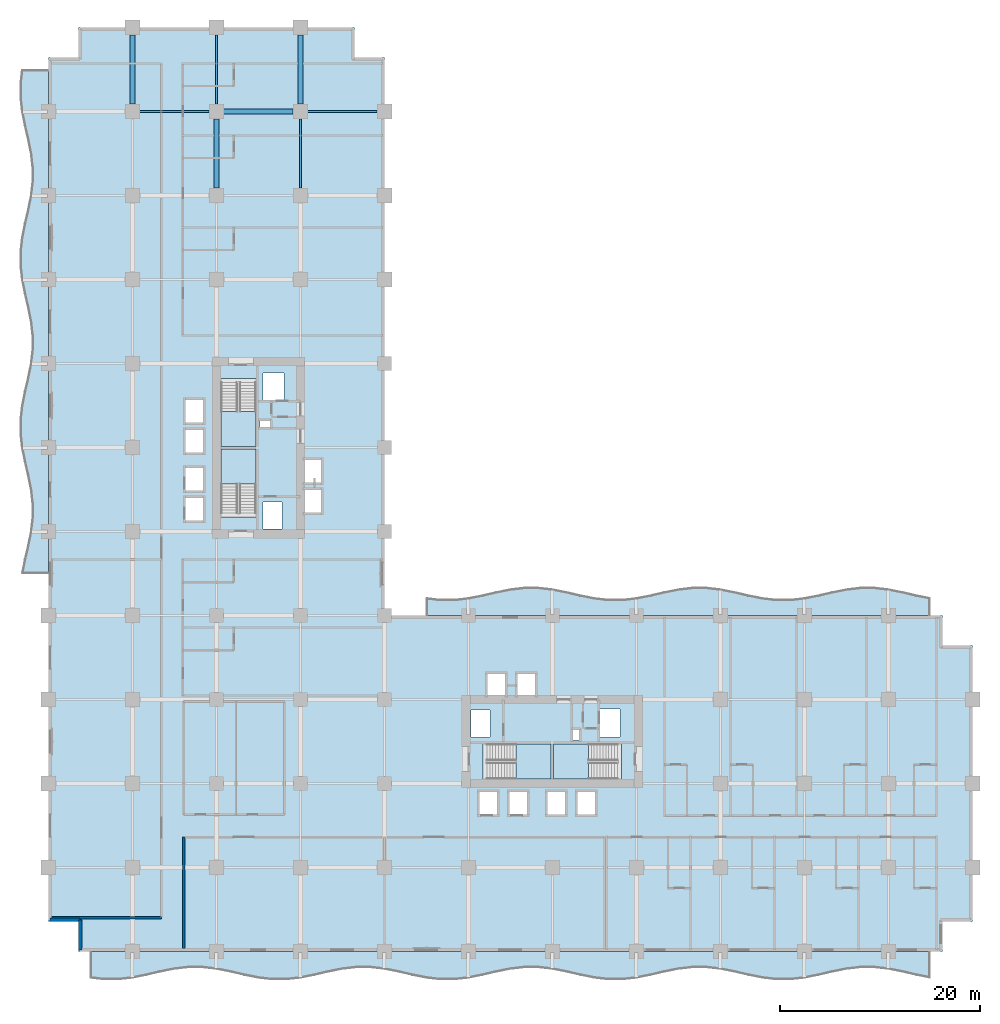
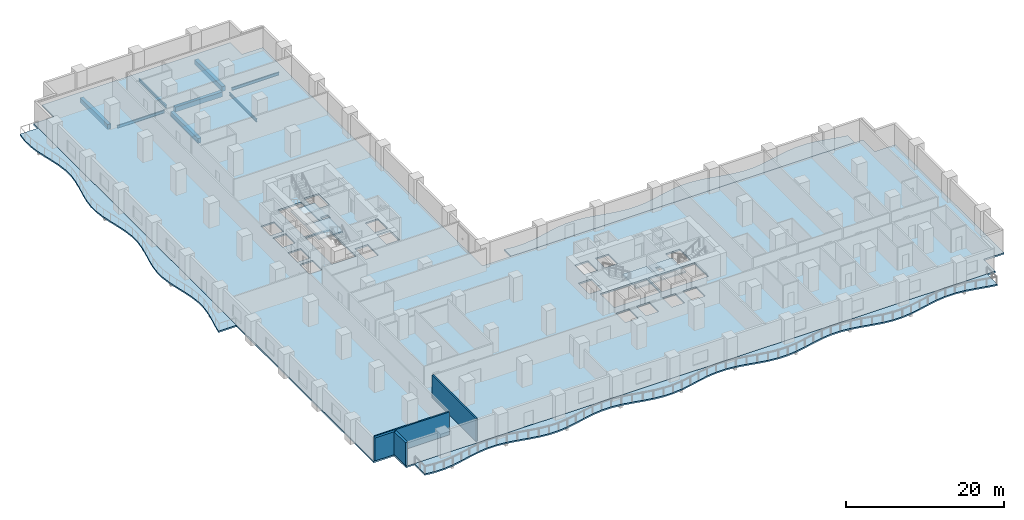
# One storey, part 3 of 18: 8 beams, 8 slabs, 4 walls, 4 elements without a shape of their own.
"""IFC4 building model written with IfcOpenShell, lengths in metres."""

from ifc_helpers import new_model, si_unit, direction, frame, frame_2d, origin, origin_2d, place, context, subcontext, project, spatial, polyline, rectangle, i_section, outline, extrude, material, layer, layer_set, material_profile, profile_set, type_object, element, aggregate, save


model = new_model("IFC4")

# Units and contexts
model_context = context("Model", 3, precision=1e-05, world=origin(), true_north=direction((0.0, 1.0)))
body_context = subcontext(model_context, "Body", "Model", "MODEL_VIEW")
ifc_project = project(units=[si_unit("LENGTHUNIT", "METRE"), si_unit("AREAUNIT", "SQUARE_METRE"), si_unit("VOLUMEUNIT", "CUBIC_METRE"), si_unit("PLANEANGLEUNIT", "RADIAN"), si_unit("MASSUNIT", "GRAM", prefix="KILO")], contexts=[model_context])

# Site, building, storey
site_placement = place(None, origin())
site = spatial("IfcSite", under=ifc_project, at=site_placement, CompositionType="ELEMENT")
building_placement = place(site_placement, origin())
building = spatial("IfcBuilding", under=site, at=building_placement, Name="Koriwani Terraces Tower", CompositionType="ELEMENT")
storey_placement = place(building_placement, frame((0.0, 0.0, 81.39990234375)))
storey = spatial("IfcBuildingStorey", under=building, at=storey_placement, Name="L19", CompositionType="ELEMENT", Elevation=81.39990234375)

# Beams
ifc_material_1 = material(Name="Concrete C50/60", Category="concrete")
ifc_material_profile_1 = material_profile(ifc_material_1, rectangle(XDim=0.5, YDim=0.75, at=origin_2d()), Name="Concrete C50/60", Category="LoadBearing")
ifc_profile_set_1 = profile_set([ifc_material_profile_1], Name="Concrete C50/60")
beam_type_1 = type_object("IfcBeamType", Name="BEAM_RC_GRID_500X750", PredefinedType="BEAM", material=ifc_profile_set_1)
for number, where, z_axis, x_axis, name in (
    (1, (17.530029296875, 84.0, -0.625), (1.0, 0.0, 0.0), (0.0, 1.0, 0.0), "L19 Grid Beam K (16.8-25.2m)"),
    (2, (8.39990234375, 84.72998046875, -0.625), (0.0, 1.0, 0.0), (-1.0, 0.0, 0.0), "L19 Grid Beam 2 (84.0-92.4m)"),
    (3, (16.800048828125, 76.330078125, -0.625), (0.0, 1.0, 0.0), (-1.0, 0.0, 0.0), "L19 Grid Beam 3 (75.6-84.0m)"),
    (4, (25.199951171875, 84.72998046875, -0.625), (0.0, 1.0, 0.0), (-1.0, 0.0, 0.0), "L19 Grid Beam 4 (84.0-92.4m)"),
):
    element("IfcBeam", number, at=place(storey_placement, frame(where, z_axis=z_axis, x_axis=x_axis)), inside=storey, type_object=beam_type_1, Name=name, PredefinedType="BEAM", context=body_context, shape_type="SweptSolid", body=[
        extrude(rectangle(XDim=0.5, YDim=0.75, at=origin_2d()), origin(), (0.0, 0.0, 1.0), 6.93994140625),
    ])
ifc_material_2 = material(Name="Steel ASTM A572 Grade 50", Category="steel")
ifc_material_profile_2 = material_profile(ifc_material_2, i_section(OverallWidth=0.19189453125, OverallDepth=0.462890625, WebThickness=0.010498046875, FlangeThickness=0.01611328125, at=origin_2d()), Name="Steel ASTM A572 Grade 50", Category="LoadBearing")
ifc_profile_set_2 = profile_set([ifc_material_profile_2], Name="Steel ASTM A572 Grade 50")
beam_type_2 = type_object("IfcBeamType", Name="STEEL_BEAM_W460X89", PredefinedType="BEAM", material=ifc_profile_set_2)
for number, where, z_axis, x_axis, name in (
    (5, (9.1298828125, 84.0, -0.4814453125), (1.0, 0.0, 0.0), (0.0, 1.0, 0.0), "L19 Grid Beam K (8.4-16.8m)"),
    (6, (25.929931640625, 84.0, -0.4814453125), (1.0, 0.0, 0.0), (0.0, 1.0, 0.0), "L19 Grid Beam K (25.2-33.6m)"),
):
    element("IfcBeam", number, at=place(storey_placement, frame(where, z_axis=z_axis, x_axis=x_axis)), inside=storey, type_object=beam_type_2, Name=name, PredefinedType="BEAM", context=body_context, shape_type="SweptSolid", body=[
        extrude(i_section(OverallWidth=0.19189453125, OverallDepth=0.462890625, WebThickness=0.010498046875, FlangeThickness=0.01611328125, at=origin_2d()), origin(), (0.0, 0.0, 1.0), 6.940185546875),
    ])
for number, where, z_axis, x_axis, name in (
    (7, (16.800048828125, 84.72998046875, -0.4814453125), (0.0, 1.0, 0.0), (-1.0, 0.0, 0.0), "L19 Grid Beam 3 (84.0-92.4m)"),
    (8, (25.199951171875, 76.330078125, -0.4814453125), (0.0, 1.0, 0.0), (-1.0, 0.0, 0.0), "L19 Grid Beam 4 (75.6-84.0m)"),
):
    element("IfcBeam", number, at=place(storey_placement, frame(where, z_axis=z_axis, x_axis=x_axis)), inside=storey, type_object=beam_type_2, Name=name, PredefinedType="BEAM", context=body_context, shape_type="SweptSolid", body=[
        extrude(i_section(OverallWidth=0.19189453125, OverallDepth=0.462890625, WebThickness=0.010498046875, FlangeThickness=0.01611328125, at=origin_2d()), origin(), (0.0, 0.0, 1.0), 6.93994140625),
    ])

# Slabs
ifc_material_3 = material(Name="Concrete C40/50", Category="concrete")
ifc_layer_1 = layer(ifc_material_3, 0.219970703125, Name="Concrete C40/50")
ifc_layer_set_1 = layer_set([ifc_layer_1], Name="Concrete C40/50")
slab_type_1 = type_object("IfcSlabType", Name="SLAB_BALCONY_220", PredefinedType="FLOOR", material=ifc_layer_set_1)
slab_1_placement = place(storey_placement, frame((0.0, 0.0, -0.219970703125)))
element("IfcSlab", 9, at=slab_1_placement, inside=storey, type_object=slab_type_1, Name="L19 Quilted Circular-Arc Balcony (S)", PredefinedType="FLOOR", context=body_context, shape_type="SweptSolid", body=[
    extrude(outline(polyline([(4.199951171875, 0.0), (5.60009765625, 0.0), (7.0, 0.0), (8.39990234375, 0.0), (9.800048828125, 0.0), (11.199951171875, 0.0), (12.60009765625, 0.0), (14.0, 0.0), (15.39990234375, 0.0), (16.800048828125, 0.0), (18.199951171875, 0.0), (19.60009765625, 0.0), (21.0, 0.0), (22.39990234375, 0.0), (23.800048828125, 0.0), (25.199951171875, 0.0), (26.60009765625, 0.0), (28.0, 0.0), (29.39990234375, 0.0), (30.800048828125, 0.0), (32.199951171875, 0.0), (33.60009765625, 0.0), (35.0, 0.0), (36.39990234375, 0.0), (37.800048828125, 0.0), (39.199951171875, 0.0), (40.60009765625, 0.0), (42.0, 0.0), (43.39990234375, 0.0), (44.800048828125, 0.0), (46.199951171875, 0.0), (47.60009765625, 0.0), (49.0, 0.0), (50.39990234375, 0.0), (51.800048828125, 0.0), (53.199951171875, 0.0), (54.60009765625, 0.0), (56.0, 0.0), (57.39990234375, 0.0), (58.800048828125, 0.0), (60.199951171875, 0.0), (61.60009765625, 0.0), (63.0, 0.0), (64.39990234375, 0.0), (65.800048828125, 0.0), (67.199951171875, 0.0), (68.60009765625, 0.0), (70.0, 0.0), (71.39990234375, 0.0), (72.800048828125, 0.0), (74.199951171875, 0.0), (75.60009765625, 0.0), (77.0, 0.0), (78.39990234375, 0.0), (79.800048828125, 0.0), (81.199951171875, 0.0), (82.60009765625, 0.0), (84.0, 0.0), (85.39990234375, 0.0), (86.800048828125, 0.0), (88.199951171875, 0.0), (88.199951171875, -2.6669921875), (86.800048828125, -2.38671875), (85.39990234375, -2.063232421875), (84.0, -1.783203125), (82.60009765625, -1.621337890625), (81.199951171875, -1.621337890625), (79.800048828125, -1.783203125), (78.39990234375, -2.063232421875), (77.0, -2.38671875), (75.60009765625, -2.6669921875), (74.199951171875, -2.82861328125), (72.800048828125, -2.82861328125), (71.39990234375, -2.6669921875), (70.0, -2.38671875), (68.60009765625, -2.063232421875), (67.199951171875, -1.783203125), (65.800048828125, -1.621337890625), (64.39990234375, -1.621337890625), (63.0, -1.783203125), (61.60009765625, -2.063232421875), (60.199951171875, -2.38671875), (58.800048828125, -2.6669921875), (57.39990234375, -2.82861328125), (56.0, -2.82861328125), (54.60009765625, -2.6669921875), (53.199951171875, -2.38671875), (51.800048828125, -2.063232421875), (50.39990234375, -1.783203125), (49.0, -1.621337890625), (47.60009765625, -1.621337890625), (46.199951171875, -1.783203125), (44.800048828125, -2.063232421875), (43.39990234375, -2.38671875), (42.0, -2.6669921875), (40.60009765625, -2.82861328125), (39.199951171875, -2.82861328125), (37.800048828125, -2.6669921875), (36.39990234375, -2.38671875), (35.0, -2.063232421875), (33.60009765625, -1.783203125), (32.199951171875, -1.621337890625), (30.800048828125, -1.621337890625), (29.39990234375, -1.783203125), (28.0, -2.063232421875), (26.60009765625, -2.38671875), (25.199951171875, -2.6669921875), (23.800048828125, -2.82861328125), (22.39990234375, -2.82861328125), (21.0, -2.6669921875), (19.60009765625, -2.38671875), (18.199951171875, -2.063232421875), (16.800048828125, -1.783203125), (15.39990234375, -1.621337890625), (14.0, -1.621337890625), (12.60009765625, -1.783203125), (11.199951171875, -2.063232421875), (9.800048828125, -2.38671875), (8.39990234375, -2.6669921875), (7.0, -2.82861328125), (5.60009765625, -2.82861328125), (4.199951171875, -2.6669921875), (4.199951171875, 0.0)])), origin(), (0.0, 0.0, 1.0), 0.219970703125),
])
slab_2_placement = place(storey_placement, frame((0.0, 0.0, -0.219970703125)))
element("IfcSlab", 10, at=slab_2_placement, inside=storey, type_object=slab_type_1, Name="L19 Quilted Circular-Arc Balcony (W)", PredefinedType="FLOOR", context=body_context, shape_type="SweptSolid", body=[
    extrude(outline(polyline([(0.0, 37.800048828125), (0.0, 39.199951171875), (0.0, 40.60009765625), (0.0, 42.0), (0.0, 43.39990234375), (0.0, 44.800048828125), (0.0, 46.199951171875), (0.0, 47.60009765625), (0.0, 49.0), (0.0, 50.39990234375), (0.0, 51.800048828125), (0.0, 53.199951171875), (0.0, 54.60009765625), (0.0, 56.0), (0.0, 57.39990234375), (0.0, 58.800048828125), (0.0, 60.199951171875), (0.0, 61.60009765625), (0.0, 63.0), (0.0, 64.39990234375), (0.0, 65.800048828125), (0.0, 67.199951171875), (0.0, 68.60009765625), (0.0, 70.0), (0.0, 71.39990234375), (0.0, 72.800048828125), (0.0, 74.199951171875), (0.0, 75.60009765625), (0.0, 77.0), (0.0, 78.39990234375), (0.0, 79.800048828125), (0.0, 81.199951171875), (0.0, 82.60009765625), (0.0, 84.0), (0.0, 85.39990234375), (0.0, 86.800048828125), (0.0, 88.199951171875), (-2.6669921875, 88.199951171875), (-2.82861328125, 86.800048828125), (-2.82861328125, 85.39990234375), (-2.6669921875, 84.0), (-2.38671875, 82.60009765625), (-2.063232421875, 81.199951171875), (-1.783203125, 79.800048828125), (-1.621337890625, 78.39990234375), (-1.621337890625, 77.0), (-1.783203125, 75.60009765625), (-2.063232421875, 74.199951171875), (-2.38671875, 72.800048828125), (-2.6669921875, 71.39990234375), (-2.82861328125, 70.0), (-2.82861328125, 68.60009765625), (-2.6669921875, 67.199951171875), (-2.38671875, 65.800048828125), (-2.063232421875, 64.39990234375), (-1.783203125, 63.0), (-1.621337890625, 61.60009765625), (-1.621337890625, 60.199951171875), (-1.783203125, 58.800048828125), (-2.063232421875, 57.39990234375), (-2.38671875, 56.0), (-2.6669921875, 54.60009765625), (-2.82861328125, 53.199951171875), (-2.82861328125, 51.800048828125), (-2.6669921875, 50.39990234375), (-2.38671875, 49.0), (-2.063232421875, 47.60009765625), (-1.783203125, 46.199951171875), (-1.621337890625, 44.800048828125), (-1.621337890625, 43.39990234375), (-1.783203125, 42.0), (-2.063232421875, 40.60009765625), (-2.38671875, 39.199951171875), (-2.6669921875, 37.800048828125), (0.0, 37.800048828125)])), origin(), (0.0, 0.0, 1.0), 0.219970703125),
])
slab_3_placement = place(storey_placement, frame((0.0, 0.0, -0.219970703125)))
element("IfcSlab", 11, at=slab_3_placement, inside=storey, type_object=slab_type_1, Name="L19 Quilted Circular-Arc Balcony (NE)", PredefinedType="FLOOR", context=body_context, shape_type="SweptSolid", body=[
    extrude(outline(polyline([(88.199951171875, 33.60009765625), (86.800048828125, 33.60009765625), (85.39990234375, 33.60009765625), (84.0, 33.60009765625), (82.60009765625, 33.60009765625), (81.199951171875, 33.60009765625), (79.800048828125, 33.60009765625), (78.39990234375, 33.60009765625), (77.0, 33.60009765625), (75.60009765625, 33.60009765625), (74.199951171875, 33.60009765625), (72.800048828125, 33.60009765625), (71.39990234375, 33.60009765625), (70.0, 33.60009765625), (68.60009765625, 33.60009765625), (67.199951171875, 33.60009765625), (65.800048828125, 33.60009765625), (64.39990234375, 33.60009765625), (63.0, 33.60009765625), (61.60009765625, 33.60009765625), (60.199951171875, 33.60009765625), (58.800048828125, 33.60009765625), (57.39990234375, 33.60009765625), (56.0, 33.60009765625), (54.60009765625, 33.60009765625), (53.199951171875, 33.60009765625), (51.800048828125, 33.60009765625), (50.39990234375, 33.60009765625), (49.0, 33.60009765625), (47.60009765625, 33.60009765625), (46.199951171875, 33.60009765625), (44.800048828125, 33.60009765625), (43.39990234375, 33.60009765625), (42.0, 33.60009765625), (40.60009765625, 33.60009765625), (39.199951171875, 33.60009765625), (37.800048828125, 33.60009765625), (37.800048828125, 35.383056640625), (39.199951171875, 35.22119140625), (40.60009765625, 35.22119140625), (42.0, 35.383056640625), (43.39990234375, 35.6630859375), (44.800048828125, 35.98681640625), (46.199951171875, 36.266845703125), (47.60009765625, 36.4287109375), (49.0, 36.4287109375), (50.39990234375, 36.266845703125), (51.800048828125, 35.98681640625), (53.199951171875, 35.6630859375), (54.60009765625, 35.383056640625), (56.0, 35.22119140625), (57.39990234375, 35.22119140625), (58.800048828125, 35.383056640625), (60.199951171875, 35.6630859375), (61.60009765625, 35.98681640625), (63.0, 36.266845703125), (64.39990234375, 36.4287109375), (65.800048828125, 36.4287109375), (67.199951171875, 36.266845703125), (68.60009765625, 35.98681640625), (70.0, 35.6630859375), (71.39990234375, 35.383056640625), (72.800048828125, 35.22119140625), (74.199951171875, 35.22119140625), (75.60009765625, 35.383056640625), (77.0, 35.6630859375), (78.39990234375, 35.98681640625), (79.800048828125, 36.266845703125), (81.199951171875, 36.4287109375), (82.60009765625, 36.4287109375), (84.0, 36.266845703125), (85.39990234375, 35.98681640625), (86.800048828125, 35.6630859375), (88.199951171875, 35.383056640625), (88.199951171875, 33.60009765625)])), origin(), (0.0, 0.0, 1.0), 0.219970703125),
])

# Stair, slab
stair_type = type_object("IfcStairType", Name="STAIR_CORE_DOGLEG_1650", PredefinedType="TWO_STRAIGHT_RUN_STAIR", material=ifc_material_3)
stair_1_placement = place(storey_placement, origin())
stair_1 = element("IfcStair", 12, at=stair_1_placement, inside=storey, type_object=stair_type, Name="L19 West Core Exit Stair 1", PredefinedType="HALF_TURN_STAIR")
ifc_layer_2 = layer(ifc_material_3, 0.199951171875, Name="Concrete C40/50")
ifc_layer_set_2 = layer_set([ifc_layer_2], Name="Concrete C40/50")
slab_type_2 = type_object("IfcSlabType", Name="SLAB_STAIR_LANDING_200", PredefinedType="LANDING", material=ifc_layer_set_2)
slab_4_placement = place(storey_placement, frame((0.0, 0.0, 1.7001953125)))
slab_4 = element("IfcSlab", 13, at=slab_4_placement, type_object=slab_type_2, Name="ST-W1 landing 1", PredefinedType="LANDING", context=body_context, shape_type="SweptSolid", body=[
    extrude(outline(polyline([(20.75, 46.75), (20.75, 50.25), (17.25, 50.25), (17.25, 46.75), (20.75, 46.75)])), origin(), (0.0, 0.0, 1.0), 0.199951171875),
])
aggregate(stair_1, [slab_4])

stair_2_placement = place(storey_placement, origin())
stair_2 = element("IfcStair", 14, at=stair_2_placement, inside=storey, type_object=stair_type, Name="L19 West Core Exit Stair 2", PredefinedType="HALF_TURN_STAIR")
slab_5_placement = place(storey_placement, frame((0.0, 0.0, 1.7001953125)))
slab_5 = element("IfcSlab", 15, at=slab_5_placement, type_object=slab_type_2, Name="ST-W2 landing 1", PredefinedType="LANDING", context=body_context, shape_type="SweptSolid", body=[
    extrude(outline(polyline([(17.25, 54.0), (17.25, 50.5), (20.75, 50.5), (20.75, 54.0), (17.25, 54.0)])), origin(), (0.0, 0.0, 1.0), 0.199951171875),
])
aggregate(stair_2, [slab_5])

stair_3_placement = place(storey_placement, origin())
stair_3 = element("IfcStair", 16, at=stair_3_placement, inside=storey, type_object=stair_type, Name="L19 East Core Exit Stair 1", PredefinedType="HALF_TURN_STAIR")
slab_6_placement = place(storey_placement, frame((0.0, 0.0, 1.7001953125)))
slab_6 = element("IfcSlab", 17, at=slab_6_placement, type_object=slab_type_2, Name="ST-E1 landing 1", PredefinedType="LANDING", context=body_context, shape_type="SweptSolid", body=[
    extrude(outline(polyline([(46.75, 17.25), (50.25, 17.25), (50.25, 20.75), (46.75, 20.75), (46.75, 17.25)])), origin(), (0.0, 0.0, 1.0), 0.199951171875),
])
aggregate(stair_3, [slab_6])

stair_4_placement = place(storey_placement, origin())
stair_4 = element("IfcStair", 18, at=stair_4_placement, inside=storey, type_object=stair_type, Name="L19 East Core Exit Stair 2", PredefinedType="HALF_TURN_STAIR")
slab_7_placement = place(storey_placement, frame((0.0, 0.0, 1.7001953125)))
slab_7 = element("IfcSlab", 19, at=slab_7_placement, type_object=slab_type_2, Name="ST-E2 landing 1", PredefinedType="LANDING", context=body_context, shape_type="SweptSolid", body=[
    extrude(outline(polyline([(54.0, 20.75), (50.5, 20.75), (50.5, 17.25), (54.0, 17.25), (54.0, 20.75)])), origin(), (0.0, 0.0, 1.0), 0.199951171875),
])
aggregate(stair_4, [slab_7])

# Slab
ifc_layer_3 = layer(ifc_material_3, 0.25, Name="Concrete C40/50")
ifc_layer_set_3 = layer_set([ifc_layer_3], Name="Concrete C40/50")
slab_type_3 = type_object("IfcSlabType", Name="SLAB_TOWER_TYP_250", PredefinedType="FLOOR", material=ifc_layer_set_3)
slab_8_placement = place(storey_placement, frame((0.0, 0.0, -0.25)))
element("IfcSlab", 20, at=slab_8_placement, inside=storey, type_object=slab_type_3, Name="L19 Structural Floor Slab", PredefinedType="FLOOR", context=body_context, shape_type="SweptSolid", body=[
    extrude(outline(polyline([(3.0, 0.0), (89.39990234375, 0.0), (89.39990234375, 3.0), (92.39990234375, 3.0), (92.39990234375, 30.60009765625), (89.39990234375, 30.60009765625), (89.39990234375, 33.60009765625), (33.60009765625, 33.60009765625), (33.60009765625, 89.39990234375), (30.60009765625, 89.39990234375), (30.60009765625, 92.39990234375), (3.0, 92.39990234375), (3.0, 89.39990234375), (0.0, 89.39990234375), (0.0, 3.0), (3.0, 3.0), (3.0, 0.0)]), holes=[polyline([(17.25, 43.4599609375), (20.75, 43.4599609375), (20.75, 50.25), (17.25, 50.25), (17.25, 43.4599609375)]), polyline([(17.25, 50.5), (20.75, 50.5), (20.75, 57.2900390625), (17.25, 57.2900390625), (17.25, 50.5)]), polyline([(43.4599609375, 17.25), (50.25, 17.25), (50.25, 20.75), (43.4599609375, 20.75), (43.4599609375, 17.25)]), polyline([(50.5, 17.25), (57.2900390625, 17.25), (57.2900390625, 20.75), (50.5, 20.75), (50.5, 17.25)]), polyline([(13.64990234375, 43.050048828125), (15.550048828125, 43.050048828125), (15.550048828125, 45.449951171875), (13.64990234375, 45.449951171875), (13.64990234375, 43.050048828125)]), polyline([(13.64990234375, 46.050048828125), (15.550048828125, 46.050048828125), (15.550048828125, 48.449951171875), (13.64990234375, 48.449951171875), (13.64990234375, 46.050048828125)]), polyline([(43.050048828125, 13.64990234375), (44.949951171875, 13.64990234375), (44.949951171875, 16.050048828125), (43.050048828125, 16.050048828125), (43.050048828125, 13.64990234375)]), polyline([(46.050048828125, 13.64990234375), (47.949951171875, 13.64990234375), (47.949951171875, 16.050048828125), (46.050048828125, 16.050048828125), (46.050048828125, 13.64990234375)]), polyline([(13.64990234375, 49.85009765625), (15.550048828125, 49.85009765625), (15.550048828125, 52.25), (13.64990234375, 52.25), (13.64990234375, 49.85009765625)]), polyline([(13.64990234375, 52.85009765625), (15.550048828125, 52.85009765625), (15.550048828125, 55.25), (13.64990234375, 55.25), (13.64990234375, 52.85009765625)]), polyline([(49.85009765625, 13.64990234375), (51.75, 13.64990234375), (51.75, 16.050048828125), (49.85009765625, 16.050048828125), (49.85009765625, 13.64990234375)]), polyline([(52.85009765625, 13.64990234375), (54.75, 13.64990234375), (54.75, 16.050048828125), (52.85009765625, 16.050048828125), (52.85009765625, 13.64990234375)]), polyline([(25.449951171875, 43.85009765625), (27.35009765625, 43.85009765625), (27.35009765625, 46.25), (25.449951171875, 46.25), (25.449951171875, 43.85009765625)]), polyline([(25.449951171875, 46.85009765625), (27.35009765625, 46.85009765625), (27.35009765625, 49.25), (25.449951171875, 49.25), (25.449951171875, 46.85009765625)]), polyline([(43.85009765625, 25.449951171875), (45.75, 25.449951171875), (45.75, 27.85009765625), (43.85009765625, 27.85009765625), (43.85009765625, 25.449951171875)]), polyline([(46.85009765625, 25.449951171875), (48.75, 25.449951171875), (48.75, 27.85009765625), (46.85009765625, 27.85009765625), (46.85009765625, 25.449951171875)]), polyline([(21.449951171875, 55.050048828125), (23.550048828125, 55.050048828125), (23.550048828125, 57.85009765625), (21.449951171875, 57.85009765625), (21.449951171875, 55.050048828125)]), polyline([(55.050048828125, 21.449951171875), (57.14990234375, 21.449951171875), (57.14990234375, 24.25), (55.050048828125, 24.25), (55.050048828125, 21.449951171875)]), polyline([(21.449951171875, 42.25), (23.35009765625, 42.25), (23.35009765625, 44.949951171875), (21.449951171875, 44.949951171875), (21.449951171875, 42.25)]), polyline([(42.25, 21.449951171875), (44.14990234375, 21.449951171875), (44.14990234375, 24.14990234375), (42.25, 24.14990234375), (42.25, 21.449951171875)]), polyline([(21.14990234375, 52.419921875), (22.219970703125, 52.419921875), (22.219970703125, 53.179931640625), (21.14990234375, 53.179931640625), (21.14990234375, 52.419921875)]), polyline([(52.419921875, 21.14990234375), (53.179931640625, 21.14990234375), (53.179931640625, 22.219970703125), (52.419921875, 22.219970703125), (52.419921875, 21.14990234375)])]), origin(), (0.0, 0.0, 1.0), 0.25),
])

# Walls
ifc_material_4 = material(Name="Autoclaved Cellular Concrete Blockwork", Category="masonry")
ifc_layer_4 = layer(ifc_material_4, 0.219970703125, Name="Autoclaved Cellular Concrete Blockwork")
ifc_layer_set_4 = layer_set([ifc_layer_4], Name="Autoclaved Cellular Concrete Blockwork")
wall_type_1 = type_object("IfcWallType", Name="WALL_DEMISING_220", PredefinedType="PARTITIONING", material=ifc_layer_set_4)
wall_1_placement = place(storey_placement, frame((0.300048828125, 3.39990234375, 0.0), z_axis=(0.0, 0.0, 1.0), x_axis=(1.0, 0.0, 0.0)))
element("IfcWall", 21, at=wall_1_placement, inside=storey, type_object=wall_type_1, Name="L19 Interior Wall WZ1NWCLS-L19", PredefinedType="PARTITIONING", context=body_context, shape_type="SweptSolid", body=[
    extrude(rectangle(XDim=11.0, YDim=0.219970703125, at=frame_2d((5.5, 0.0))), origin(), (0.0, 0.0, 1.0), 3.550048828125),
])
wall_2_placement = place(storey_placement, frame((13.550048828125, 0.300048828125, 0.0), z_axis=(0.0, 0.0, 1.0), x_axis=(0.0, 1.0, 0.0)))
element("IfcWall", 22, at=wall_2_placement, inside=storey, type_object=wall_type_1, Name="L19 Interior Wall WZ1CLBW-L19", PredefinedType="PARTITIONING", context=body_context, shape_type="SweptSolid", body=[
    extrude(rectangle(XDim=11.14990234375, YDim=0.219970703125, at=frame_2d((5.574951171875, 0.0))), origin(), (0.0, 0.0, 1.0), 3.550048828125),
])
ifc_layer_5 = layer(ifc_material_1, 0.35009765625, Name="Concrete C50/60")
ifc_layer_set_5 = layer_set([ifc_layer_5], Name="Concrete C50/60")
wall_type_2 = type_object("IfcWallType", Name="WALL_EXT_BRUTALIST_350", PredefinedType="STANDARD", material=ifc_layer_set_5)
for number, where, z_axis, x_axis, name in (
    (23, (3.175048828125, 0.175048828125, 0.0), (0.0, 0.0, 1.0), (0.0, 1.0, 0.0), "L19 Fair-Faced Brutalist Exterior Wall (N0)"),
    (24, (3.175048828125, 3.175048828125, 0.0), (0.0, 0.0, 1.0), (-1.0, 0.0, 0.0), "L19 Fair-Faced Brutalist Exterior Wall (N1)"),
):
    element("IfcWall", number, at=place(storey_placement, frame(where, z_axis=z_axis, x_axis=x_axis)), inside=storey, type_object=wall_type_2, Name=name, PredefinedType="STANDARD", context=body_context, shape_type="SweptSolid", body=[
        extrude(rectangle(XDim=3.0, YDim=0.35009765625, at=frame_2d((1.5, 0.0))), origin(), (0.0, 0.0, 1.0), 3.550048828125),
    ])

save(model, "model.ifc")
